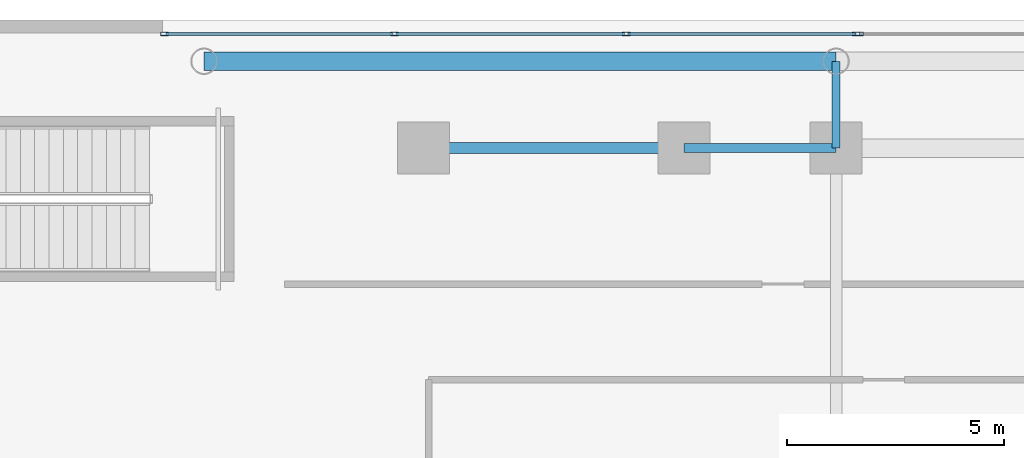
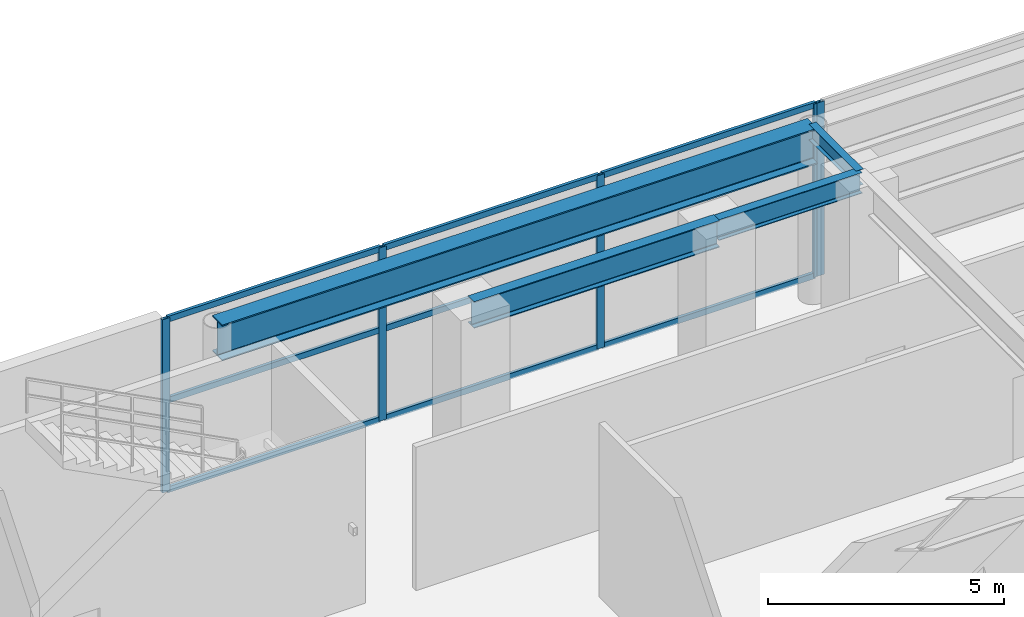
# One storey, part 12 of 28: 14 members, 4 beams, 2 elements without a shape of their own.
"""IFC4 building model written with IfcOpenShell, lengths in metres."""

from ifc_helpers import new_model, si_unit, direction, frame, origin, origin_2d, place, context, subcontext, project, spatial, hollow_rectangle, i_section, extrude, source, transform, mapped, material, layer, layer_set, material_profile, profile_set, type_object, element, aggregate, save


model = new_model("IFC4")

# Units and contexts
model_context = context("Model", 3, precision=1e-05, world=origin(), true_north=direction((0.0, 1.0)))
body_context = subcontext(model_context, "Body", "Model", "MODEL_VIEW")
ifc_project = project(units=[si_unit("LENGTHUNIT", "METRE"), si_unit("AREAUNIT", "SQUARE_METRE"), si_unit("VOLUMEUNIT", "CUBIC_METRE"), si_unit("PLANEANGLEUNIT", "RADIAN"), si_unit("MASSUNIT", "GRAM", prefix="KILO")], contexts=[model_context])

# Site, building, storey
site_placement = place(None, origin())
site = spatial("IfcSite", under=ifc_project, at=site_placement, CompositionType="ELEMENT")
building_placement = place(site_placement, origin())
building = spatial("IfcBuilding", under=site, at=building_placement, Name="Ocotamira Hotel", CompositionType="ELEMENT")
storey_placement = place(building_placement, frame((0.0, 0.0, 24.0)))
storey = spatial("IfcBuildingStorey", under=building, at=storey_placement, Name="L05", CompositionType="ELEMENT", Elevation=24.0)

# Beams
ifc_material_1 = material(Name="Steel ASTM A992 Grade 50", Category="steel")
ifc_material_profile_1 = material_profile(ifc_material_1, i_section(OverallWidth=0.41796875, OverallDepth=0.927001953125, WebThickness=0.019287109375, FlangeThickness=0.031982421875, FilletRadius=0.02392578125, at=origin_2d()), Name="W36X231")
ifc_profile_set_1 = profile_set([ifc_material_profile_1], Name="Steel ASTM A992 Grade 50")
beam_type_1 = type_object("IfcBeamType", Name="BM-GIRD-W36X231", PredefinedType="BEAM", material=ifc_profile_set_1)
shared_shape_1 = source(origin(), body_context, "Body", "SweptSolid", [
    extrude(i_section(OverallWidth=0.41796875, OverallDepth=0.927001953125, WebThickness=0.019287109375, FlangeThickness=0.031982421875, FilletRadius=0.02392578125, at=origin_2d()), origin(), (0.0, 0.0, 1.0), 14.550048828125),
])
beam_1_placement = place(storey_placement, frame((8.949951171875, 51.050048828125, 4.0166015625), z_axis=(1.0, 0.0, 0.0), x_axis=(0.0, 1.0, 0.0)))
element("IfcBeam", 1, at=beam_1_placement, inside=storey, type_object=beam_type_1, Name="L05 Girder Y51.05 X8.95-23.5", PredefinedType="BEAM", context=body_context, shape_type="MappedRepresentation", body=[
    mapped(shared_shape_1, transform((0.0, 0.0, 0.0), scale=1.0)),
])
ifc_material_profile_2 = material_profile(ifc_material_1, i_section(OverallWidth=0.256103515625, OverallDepth=0.693115234375, WebThickness=0.014404296875, FlangeThickness=0.023681640625, FilletRadius=0.01611328125, at=origin_2d()), Name="W27X114")
ifc_profile_set_2 = profile_set([ifc_material_profile_2], Name="Steel ASTM A992 Grade 50")
beam_type_2 = type_object("IfcBeamType", Name="BM-PRIM-W27X114", PredefinedType="BEAM", material=ifc_profile_set_2)
shared_shape_2 = source(origin(), body_context, "Body", "SweptSolid", [
    extrude(i_section(OverallWidth=0.256103515625, OverallDepth=0.693115234375, WebThickness=0.014404296875, FlangeThickness=0.023681640625, FilletRadius=0.01611328125, at=origin_2d()), origin(), (0.0, 0.0, 1.0), 6.0),
])
beam_2_placement = place(storey_placement, frame((14.0, 49.050048828125, 4.133544921875), z_axis=(1.0, 0.0, 0.0), x_axis=(0.0, 1.0, 0.0)))
element("IfcBeam", 2, at=beam_2_placement, inside=storey, type_object=beam_type_2, Name="L05 Girder Y49.05 X14-20", PredefinedType="BEAM", context=body_context, shape_type="MappedRepresentation", body=[
    mapped(shared_shape_2, transform((0.0, 0.0, 0.0), scale=1.0)),
])
ifc_material_profile_3 = material_profile(ifc_material_1, i_section(OverallWidth=0.2099609375, OverallDepth=0.537109375, WebThickness=0.010986328125, FlangeThickness=0.017333984375, FilletRadius=0.012939453125, at=origin_2d()), Name="W21X68")
ifc_profile_set_3 = profile_set([ifc_material_profile_3], Name="Steel ASTM A992 Grade 50")
beam_type_3 = type_object("IfcBeamType", Name="BM-SEC-W21X68", PredefinedType="JOIST", material=ifc_profile_set_3)
shared_shape_3 = source(origin(), body_context, "Body", "SweptSolid", [
    extrude(i_section(OverallWidth=0.2099609375, OverallDepth=0.537109375, WebThickness=0.010986328125, FlangeThickness=0.017333984375, FilletRadius=0.012939453125, at=origin_2d()), origin(), (0.0, 0.0, 1.0), 3.5),
])
beam_3_placement = place(storey_placement, frame((20.0, 49.050048828125, 4.21142578125), z_axis=(1.0, 0.0, 0.0), x_axis=(0.0, 1.0, 0.0)))
element("IfcBeam", 3, at=beam_3_placement, inside=storey, type_object=beam_type_3, Name="L05 Girder Y49.05 X20-23.5", PredefinedType="JOIST", context=body_context, shape_type="MappedRepresentation", body=[
    mapped(shared_shape_3, transform((0.0, 0.0, 0.0), scale=1.0)),
])
ifc_material_profile_4 = material_profile(ifc_material_1, i_section(OverallWidth=0.177978515625, OverallDepth=0.403076171875, WebThickness=0.007568359375, FlangeThickness=0.010986328125, FilletRadius=0.010009765625, at=origin_2d()), Name="W16X36")
ifc_profile_set_4 = profile_set([ifc_material_profile_4], Name="Steel ASTM A992 Grade 50")
beam_type_4 = type_object("IfcBeamType", Name="BM-SEC-W16X36", PredefinedType="JOIST", material=ifc_profile_set_4)
shared_shape_4 = source(origin(), body_context, "Body", "SweptSolid", [
    extrude(i_section(OverallWidth=0.177978515625, OverallDepth=0.403076171875, WebThickness=0.007568359375, FlangeThickness=0.010986328125, FilletRadius=0.010009765625, at=origin_2d()), origin(), (0.0, 0.0, 1.0), 2.0),
])
beam_4_placement = place(storey_placement, frame((23.5, 49.050048828125, 4.278564453125), z_axis=(0.0, 1.0, 0.0), x_axis=(-1.0, 0.0, 0.0)))
element("IfcBeam", 4, at=beam_4_placement, inside=storey, type_object=beam_type_4, Name="L05 Beam X23.5 Y49.05-51.05", PredefinedType="JOIST", context=body_context, shape_type="MappedRepresentation", body=[
    mapped(shared_shape_4, transform((0.0, 0.0, 0.0), scale=1.0)),
])

# Curtain wall, members
ifc_material_2 = material(Name="Anodised pale-metal aluminium and solar glass", Category="aluminium")
ifc_layer = layer(ifc_material_2, 0.219970703125)
ifc_layer_set = layer_set([ifc_layer], Name="Anodised pale-metal aluminium and solar glass")
curtain_wall_type = type_object("IfcCurtainWallType", Name="CW-SYS1-POD", PredefinedType="NOTDEFINED", material=ifc_layer_set)
curtain_wall_1_placement = place(storey_placement, origin())
curtain_wall_1 = element("IfcCurtainWall", 5, at=curtain_wall_1_placement, inside=storey, type_object=curtain_wall_type, Name="L05 Curtain Wall CW-1 CW-L05-N1", PredefinedType="NOTDEFINED")
ifc_material_3 = material(Name="Anodised pale-metal aluminium 6063-T6", Category="aluminium")
ifc_material_profile_5 = material_profile(ifc_material_3, hollow_rectangle(XDim=0.080078125, YDim=0.179931640625, WallThickness=0.006103515625, at=origin_2d()), Name="HSS180X80X6")
ifc_profile_set_5 = profile_set([ifc_material_profile_5], Name="Anodised pale-metal aluminium 6063-T6")
member_type_1 = type_object("IfcMemberType", Name="CWM-180X75", PredefinedType="MULLION", material=ifc_profile_set_5)
shared_shape_5 = source(origin(), body_context, "Body", "SweptSolid", [
    extrude(hollow_rectangle(XDim=0.080078125, YDim=0.179931640625, WallThickness=0.006103515625, at=origin_2d()), origin(), (0.0, 0.0, 1.0), 4.47998046875),
])
member_1_placement = place(storey_placement, frame((8.0400390625, 51.679931640625, 0.0), z_axis=(0.0, 0.0, 1.0), x_axis=(0.0, 1.0, 0.0)))
member_1 = element("IfcMember", 6, at=member_1_placement, type_object=member_type_1, Name="CW-1 mullion 1", PredefinedType="MULLION", context=body_context, shape_type="MappedRepresentation", body=[
    mapped(shared_shape_5, transform((0.0, 0.0, 0.0), scale=1.0)),
])
member_2_placement = place(storey_placement, frame((13.333251953125, 51.679931640625, 0.0), z_axis=(0.0, 0.0, 1.0), x_axis=(0.0, 1.0, 0.0)))
member_2 = element("IfcMember", 7, at=member_2_placement, type_object=member_type_1, Name="CW-1 mullion 2", PredefinedType="MULLION", context=body_context, shape_type="MappedRepresentation", body=[
    mapped(shared_shape_5, transform((0.0, 0.0, 0.0), scale=1.0)),
])
member_3_placement = place(storey_placement, frame((18.666748046875, 51.679931640625, 0.0), z_axis=(0.0, 0.0, 1.0), x_axis=(0.0, 1.0, 0.0)))
member_3 = element("IfcMember", 8, at=member_3_placement, type_object=member_type_1, Name="CW-1 mullion 3", PredefinedType="MULLION", context=body_context, shape_type="MappedRepresentation", body=[
    mapped(shared_shape_5, transform((0.0, 0.0, 0.0), scale=1.0)),
])
member_4_placement = place(storey_placement, frame((23.9599609375, 51.679931640625, 0.0), z_axis=(0.0, 0.0, 1.0), x_axis=(0.0, 1.0, 0.0)))
member_4 = element("IfcMember", 9, at=member_4_placement, type_object=member_type_1, Name="CW-1 mullion 4", PredefinedType="MULLION", context=body_context, shape_type="MappedRepresentation", body=[
    mapped(shared_shape_5, transform((0.0, 0.0, 0.0), scale=1.0)),
])

# Curtain wall, member
curtain_wall_2_placement = place(storey_placement, origin())
curtain_wall_2 = element("IfcCurtainWall", 10, at=curtain_wall_2_placement, inside=storey, type_object=curtain_wall_type, Name="L05 Curtain Wall CW-1 CW-L05-N2", PredefinedType="NOTDEFINED")
member_5_placement = place(storey_placement, frame((24.0400390625, 51.679931640625, 0.0), z_axis=(0.0, 0.0, 1.0), x_axis=(0.0, 1.0, 0.0)))
member_5 = element("IfcMember", 11, at=member_5_placement, type_object=member_type_1, Name="CW-1 mullion 1", PredefinedType="MULLION", context=body_context, shape_type="MappedRepresentation", body=[
    mapped(shared_shape_5, transform((0.0, 0.0, 0.0), scale=1.0)),
])
aggregate(curtain_wall_2, [member_5])

# Member
ifc_material_profile_6 = material_profile(ifc_material_3, hollow_rectangle(XDim=0.074951171875, YDim=0.14990234375, WallThickness=0.006103515625, at=origin_2d()), Name="HSS150X75X6")
ifc_profile_set_6 = profile_set([ifc_material_profile_6], Name="Anodised pale-metal aluminium 6063-T6")
member_type_2 = type_object("IfcMemberType", Name="CWT-150X75", PredefinedType="USERDEFINED", material=ifc_profile_set_6)
shared_shape_6 = source(origin(), body_context, "Body", "SweptSolid", [
    extrude(hollow_rectangle(XDim=0.074951171875, YDim=0.14990234375, WallThickness=0.006103515625, at=origin_2d()), origin(), (0.0, 0.0, 1.0), 5.213134765625),
])
member_6_placement = place(storey_placement, frame((8.080078125, 51.679931640625, 0.03759765625), z_axis=(1.0, 0.0, 0.0), x_axis=(0.0, 1.0, 0.0)))
member_6 = element("IfcMember", 12, at=member_6_placement, type_object=member_type_2, Name="CW-1 transom 1.1", ObjectType="TRANSOM", PredefinedType="USERDEFINED", context=body_context, shape_type="MappedRepresentation", body=[
    mapped(shared_shape_6, transform((0.0, 0.0, 0.0), scale=1.0)),
])

member_7_placement = place(storey_placement, frame((8.080078125, 51.679931640625, 2.35009765625), z_axis=(1.0, 0.0, 0.0), x_axis=(0.0, 1.0, 0.0)))
member_7 = element("IfcMember", 13, at=member_7_placement, type_object=member_type_2, Name="CW-1 transom 1.2", ObjectType="TRANSOM", PredefinedType="USERDEFINED", context=body_context, shape_type="MappedRepresentation", body=[
    mapped(shared_shape_6, transform((0.0, 0.0, 0.0), scale=1.0)),
])

member_8_placement = place(storey_placement, frame((8.080078125, 51.679931640625, 4.4423828125), z_axis=(1.0, 0.0, 0.0), x_axis=(0.0, 1.0, 0.0)))
member_8 = element("IfcMember", 14, at=member_8_placement, type_object=member_type_2, Name="CW-1 transom 1.3", ObjectType="TRANSOM", PredefinedType="USERDEFINED", context=body_context, shape_type="MappedRepresentation", body=[
    mapped(shared_shape_6, transform((0.0, 0.0, 0.0), scale=1.0)),
])

member_9_placement = place(storey_placement, frame((18.706787109375, 51.679931640625, 0.03759765625), z_axis=(1.0, 0.0, 0.0), x_axis=(0.0, 1.0, 0.0)))
member_9 = element("IfcMember", 15, at=member_9_placement, type_object=member_type_2, Name="CW-1 transom 3.1", ObjectType="TRANSOM", PredefinedType="USERDEFINED", context=body_context, shape_type="MappedRepresentation", body=[
    mapped(shared_shape_6, transform((0.0, 0.0, 0.0), scale=1.0)),
])

member_10_placement = place(storey_placement, frame((18.706787109375, 51.679931640625, 2.35009765625), z_axis=(1.0, 0.0, 0.0), x_axis=(0.0, 1.0, 0.0)))
member_10 = element("IfcMember", 16, at=member_10_placement, type_object=member_type_2, Name="CW-1 transom 3.2", ObjectType="TRANSOM", PredefinedType="USERDEFINED", context=body_context, shape_type="MappedRepresentation", body=[
    mapped(shared_shape_6, transform((0.0, 0.0, 0.0), scale=1.0)),
])

member_11_placement = place(storey_placement, frame((18.706787109375, 51.679931640625, 4.4423828125), z_axis=(1.0, 0.0, 0.0), x_axis=(0.0, 1.0, 0.0)))
member_11 = element("IfcMember", 17, at=member_11_placement, type_object=member_type_2, Name="CW-1 transom 3.3", ObjectType="TRANSOM", PredefinedType="USERDEFINED", context=body_context, shape_type="MappedRepresentation", body=[
    mapped(shared_shape_6, transform((0.0, 0.0, 0.0), scale=1.0)),
])

shared_shape_7 = source(origin(), body_context, "Body", "SweptSolid", [
    extrude(hollow_rectangle(XDim=0.074951171875, YDim=0.14990234375, WallThickness=0.006103515625, at=origin_2d()), origin(), (0.0, 0.0, 1.0), 5.25341796875),
])
member_12_placement = place(storey_placement, frame((13.373291015625, 51.679931640625, 0.03759765625), z_axis=(1.0, 0.0, 0.0), x_axis=(0.0, 1.0, 0.0)))
member_12 = element("IfcMember", 18, at=member_12_placement, type_object=member_type_2, Name="CW-1 transom 2.1", ObjectType="TRANSOM", PredefinedType="USERDEFINED", context=body_context, shape_type="MappedRepresentation", body=[
    mapped(shared_shape_7, transform((0.0, 0.0, 0.0), scale=1.0)),
])

member_13_placement = place(storey_placement, frame((13.373291015625, 51.679931640625, 2.35009765625), z_axis=(1.0, 0.0, 0.0), x_axis=(0.0, 1.0, 0.0)))
member_13 = element("IfcMember", 19, at=member_13_placement, type_object=member_type_2, Name="CW-1 transom 2.2", ObjectType="TRANSOM", PredefinedType="USERDEFINED", context=body_context, shape_type="MappedRepresentation", body=[
    mapped(shared_shape_7, transform((0.0, 0.0, 0.0), scale=1.0)),
])

member_14_placement = place(storey_placement, frame((13.373291015625, 51.679931640625, 4.4423828125), z_axis=(1.0, 0.0, 0.0), x_axis=(0.0, 1.0, 0.0)))
member_14 = element("IfcMember", 20, at=member_14_placement, type_object=member_type_2, Name="CW-1 transom 2.3", ObjectType="TRANSOM", PredefinedType="USERDEFINED", context=body_context, shape_type="MappedRepresentation", body=[
    mapped(shared_shape_7, transform((0.0, 0.0, 0.0), scale=1.0)),
])

aggregate(curtain_wall_1, [member_1, member_2, member_3, member_4, member_6, member_7, member_8, member_12, member_13, member_14, member_9, member_10, member_11])

save(model, "model.ifc")
